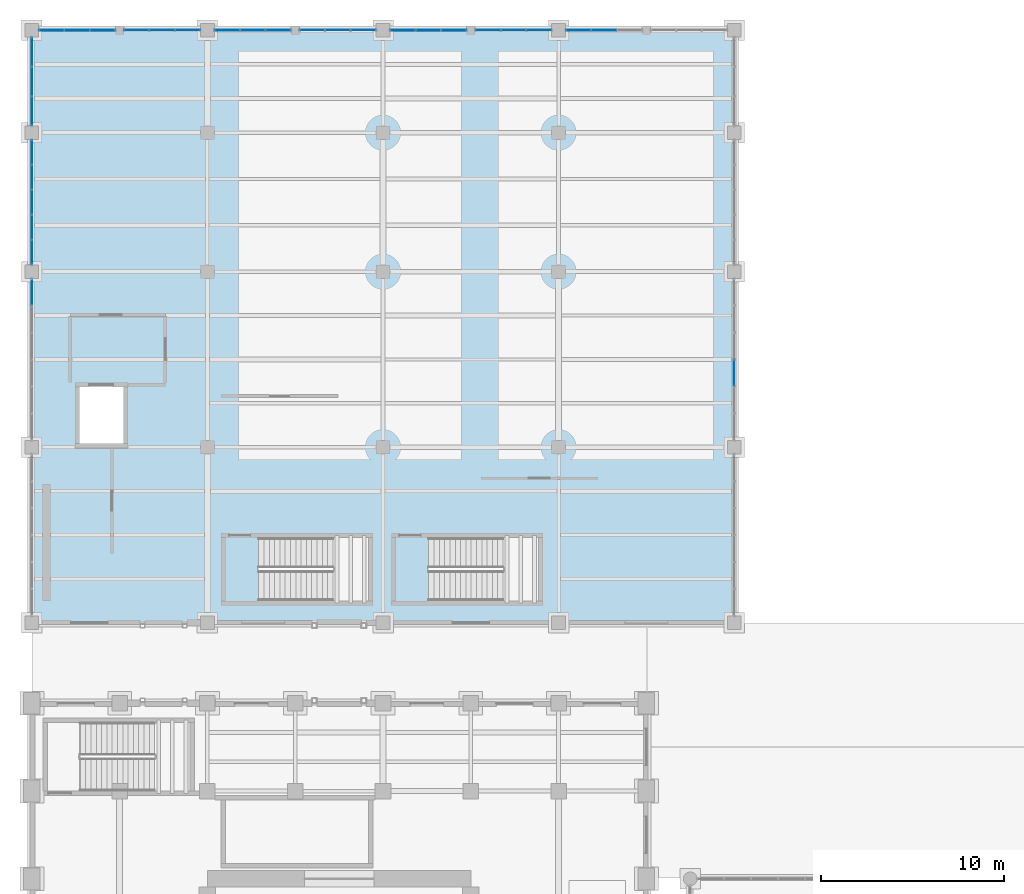
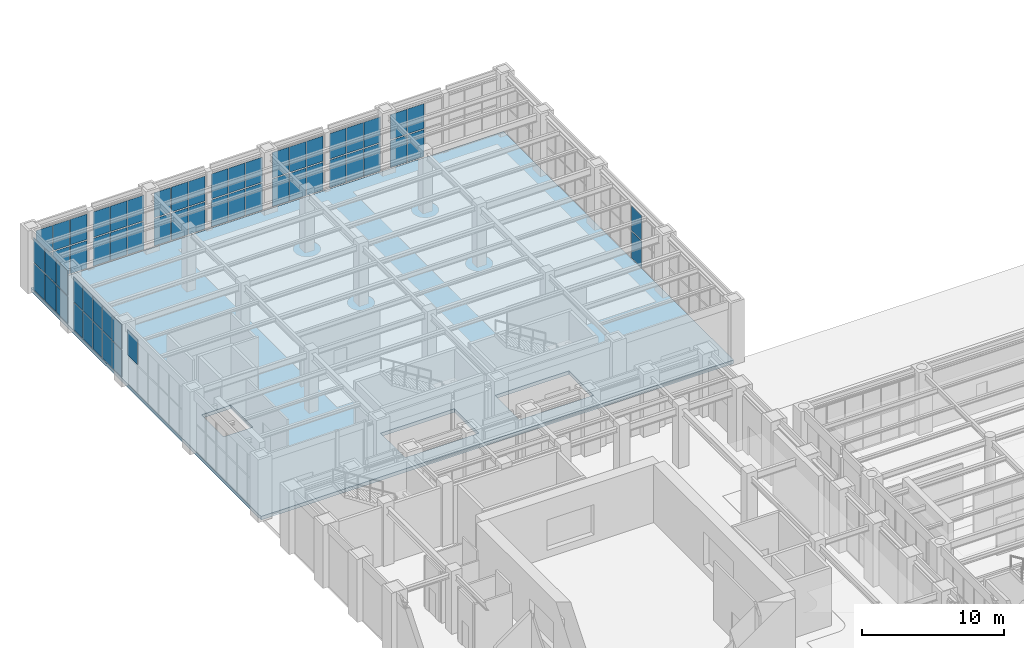
# One storey, part 120 of 164: 59 plates, 1 slab, 11 elements without a shape of their own.
"""IFC4 building model written with IfcOpenShell, lengths in metres."""

from ifc_helpers import new_model, si_unit, direction, frame, origin, origin_2d, place, context, subcontext, project, spatial, polyline, rectangle, outline, extrude, material, layer, layer_set, type_object, element, aggregate, save


model = new_model("IFC4")

# Units and contexts
model_context = context("Model", 3, precision=1e-05, world=origin(), true_north=direction((0.0, 1.0)))
body_context = subcontext(model_context, "Body", "Model", "MODEL_VIEW")
ifc_project = project(units=[si_unit("LENGTHUNIT", "METRE"), si_unit("AREAUNIT", "SQUARE_METRE"), si_unit("VOLUMEUNIT", "CUBIC_METRE"), si_unit("PLANEANGLEUNIT", "RADIAN"), si_unit("MASSUNIT", "GRAM", prefix="KILO")], contexts=[model_context])

# Site, building, storey
site_placement = place(None, origin())
site = spatial("IfcSite", under=ifc_project, at=site_placement, CompositionType="ELEMENT")
building_placement = place(site_placement, origin())
building = spatial("IfcBuilding", under=site, at=building_placement, Name="Mavantir Sound Aquarium", CompositionType="ELEMENT")
storey_placement = place(building_placement, origin())
storey = spatial("IfcBuildingStorey", under=building, at=storey_placement, Name="L00", CompositionType="ELEMENT", Elevation=0.0)

# Curtain wall, plates
ifc_material_1 = material(Name="Anodised Marine Aluminium and Low-E Glass", Category="aluminium")
curtain_wall_type_1 = type_object("IfcCurtainWallType", Name="CW-T13", PredefinedType="USERDEFINED", material=ifc_material_1)
curtain_wall_1_placement = place(storey_placement, origin())
curtain_wall_1 = element("IfcCurtainWall", 1, at=curtain_wall_1_placement, inside=storey, type_object=curtain_wall_type_1, Name="L00 unitised curtain wall CW-13 37", ObjectType="UNITISED GLAZING", PredefinedType="USERDEFINED")
ifc_material_2 = material(Name="Solar-Control Laminated Low-E Glass", Category="glass")
ifc_layer_1 = layer(ifc_material_2, 0.028076171875, Name="Solar-Control Laminated Low-E Glass")
ifc_layer_set_1 = layer_set([ifc_layer_1], Name="Solar-Control Laminated Low-E Glass")
plate_type_1 = type_object("IfcPlateType", Name="CW-PNL-28", PredefinedType="CURTAIN_PANEL", material=ifc_layer_set_1)
plate_1_placement = place(storey_placement, frame((27.7197265625, 116.0, 0.10302734375), z_axis=(0.0, 0.0, 1.0), x_axis=(-1.0, 0.0, 0.0)))
plate_1 = element("IfcPlate", 2, at=plate_1_placement, type_object=plate_type_1, Name="CW-L00-037 glazed curtain panel 1.1", PredefinedType="CURTAIN_PANEL", context=body_context, shape_type="SweptSolid", body=[
    extrude(rectangle(XDim=1.3466796875, YDim=0.028076171875, at=origin_2d()), origin(), (0.0, 0.0, 1.0), 2.377685546875),
])
plate_2_placement = place(storey_placement, frame((27.7197265625, 116.0, 2.576904296875), z_axis=(0.0, 0.0, 1.0), x_axis=(-1.0, 0.0, 0.0)))
plate_2 = element("IfcPlate", 3, at=plate_2_placement, type_object=plate_type_1, Name="CW-L00-037 glazed curtain panel 1.2", PredefinedType="CURTAIN_PANEL", context=body_context, shape_type="SweptSolid", body=[
    extrude(rectangle(XDim=1.3466796875, YDim=0.028076171875, at=origin_2d()), origin(), (0.0, 0.0, 1.0), 2.18310546875),
])
plate_3_placement = place(storey_placement, frame((26.324951171875, 116.0, 0.10302734375), z_axis=(0.0, 0.0, 1.0), x_axis=(-1.0, 0.0, 0.0)))
plate_3 = element("IfcPlate", 4, at=plate_3_placement, type_object=plate_type_1, Name="CW-L00-037 glazed curtain panel 2.1", PredefinedType="CURTAIN_PANEL", context=body_context, shape_type="SweptSolid", body=[
    extrude(rectangle(XDim=1.3466796875, YDim=0.028076171875, at=origin_2d()), origin(), (0.0, 0.0, 1.0), 2.377685546875),
])
plate_4_placement = place(storey_placement, frame((26.324951171875, 116.0, 2.576904296875), z_axis=(0.0, 0.0, 1.0), x_axis=(-1.0, 0.0, 0.0)))
plate_4 = element("IfcPlate", 5, at=plate_4_placement, type_object=plate_type_1, Name="CW-L00-037 glazed curtain panel 2.2", PredefinedType="CURTAIN_PANEL", context=body_context, shape_type="SweptSolid", body=[
    extrude(rectangle(XDim=1.3466796875, YDim=0.028076171875, at=origin_2d()), origin(), (0.0, 0.0, 1.0), 2.18310546875),
])
plate_5_placement = place(storey_placement, frame((24.930419921875, 116.0, 0.10302734375), z_axis=(0.0, 0.0, 1.0), x_axis=(-1.0, 0.0, 0.0)))
plate_5 = element("IfcPlate", 6, at=plate_5_placement, type_object=plate_type_1, Name="CW-L00-037 glazed curtain panel 3.1", PredefinedType="CURTAIN_PANEL", context=body_context, shape_type="SweptSolid", body=[
    extrude(rectangle(XDim=1.3466796875, YDim=0.028076171875, at=origin_2d()), origin(), (0.0, 0.0, 1.0), 2.377685546875),
])
plate_6_placement = place(storey_placement, frame((24.930419921875, 116.0, 2.576904296875), z_axis=(0.0, 0.0, 1.0), x_axis=(-1.0, 0.0, 0.0)))
plate_6 = element("IfcPlate", 7, at=plate_6_placement, type_object=plate_type_1, Name="CW-L00-037 glazed curtain panel 3.2", PredefinedType="CURTAIN_PANEL", context=body_context, shape_type="SweptSolid", body=[
    extrude(rectangle(XDim=1.3466796875, YDim=0.028076171875, at=origin_2d()), origin(), (0.0, 0.0, 1.0), 2.18310546875),
])
aggregate(curtain_wall_1, [plate_1, plate_2, plate_3, plate_4, plate_5, plate_6])

curtain_wall_type_2 = type_object("IfcCurtainWallType", Name="CW-T15", PredefinedType="USERDEFINED", material=ifc_material_1)
curtain_wall_2_placement = place(storey_placement, origin())
curtain_wall_2 = element("IfcCurtainWall", 8, at=curtain_wall_2_placement, inside=storey, type_object=curtain_wall_type_2, Name="L00 unitised curtain wall CW-15 39", ObjectType="UNITISED GLAZING", PredefinedType="USERDEFINED")
plate_7_placement = place(storey_placement, frame((18.11962890625, 116.0, 0.10302734375), z_axis=(0.0, 0.0, 1.0), x_axis=(-1.0, 0.0, 0.0)))
plate_7 = element("IfcPlate", 9, at=plate_7_placement, type_object=plate_type_1, Name="CW-L00-039 glazed curtain panel 1.1", PredefinedType="CURTAIN_PANEL", context=body_context, shape_type="SweptSolid", body=[
    extrude(rectangle(XDim=1.3466796875, YDim=0.028076171875, at=origin_2d()), origin(), (0.0, 0.0, 1.0), 2.3232421875),
])
plate_8_placement = place(storey_placement, frame((18.11962890625, 116.0, 2.522216796875), z_axis=(0.0, 0.0, 1.0), x_axis=(-1.0, 0.0, 0.0)))
plate_8 = element("IfcPlate", 10, at=plate_8_placement, type_object=plate_type_1, Name="CW-L00-039 glazed curtain panel 1.2", PredefinedType="CURTAIN_PANEL", context=body_context, shape_type="SweptSolid", body=[
    extrude(rectangle(XDim=1.3466796875, YDim=0.028076171875, at=origin_2d()), origin(), (0.0, 0.0, 1.0), 2.1328125),
])
plate_9_placement = place(storey_placement, frame((16.72509765625, 116.0, 0.10302734375), z_axis=(0.0, 0.0, 1.0), x_axis=(-1.0, 0.0, 0.0)))
plate_9 = element("IfcPlate", 11, at=plate_9_placement, type_object=plate_type_1, Name="CW-L00-039 glazed curtain panel 2.1", PredefinedType="CURTAIN_PANEL", context=body_context, shape_type="SweptSolid", body=[
    extrude(rectangle(XDim=1.3466796875, YDim=0.028076171875, at=origin_2d()), origin(), (0.0, 0.0, 1.0), 2.3232421875),
])
plate_10_placement = place(storey_placement, frame((16.72509765625, 116.0, 2.522216796875), z_axis=(0.0, 0.0, 1.0), x_axis=(-1.0, 0.0, 0.0)))
plate_10 = element("IfcPlate", 12, at=plate_10_placement, type_object=plate_type_1, Name="CW-L00-039 glazed curtain panel 2.2", PredefinedType="CURTAIN_PANEL", context=body_context, shape_type="SweptSolid", body=[
    extrude(rectangle(XDim=1.3466796875, YDim=0.028076171875, at=origin_2d()), origin(), (0.0, 0.0, 1.0), 2.1328125),
])
plate_11_placement = place(storey_placement, frame((15.330322265625, 116.0, 0.10302734375), z_axis=(0.0, 0.0, 1.0), x_axis=(-1.0, 0.0, 0.0)))
plate_11 = element("IfcPlate", 13, at=plate_11_placement, type_object=plate_type_1, Name="CW-L00-039 glazed curtain panel 3.1", PredefinedType="CURTAIN_PANEL", context=body_context, shape_type="SweptSolid", body=[
    extrude(rectangle(XDim=1.3466796875, YDim=0.028076171875, at=origin_2d()), origin(), (0.0, 0.0, 1.0), 2.3232421875),
])
plate_12_placement = place(storey_placement, frame((15.330322265625, 116.0, 2.522216796875), z_axis=(0.0, 0.0, 1.0), x_axis=(-1.0, 0.0, 0.0)))
plate_12 = element("IfcPlate", 14, at=plate_12_placement, type_object=plate_type_1, Name="CW-L00-039 glazed curtain panel 3.2", PredefinedType="CURTAIN_PANEL", context=body_context, shape_type="SweptSolid", body=[
    extrude(rectangle(XDim=1.3466796875, YDim=0.028076171875, at=origin_2d()), origin(), (0.0, 0.0, 1.0), 2.1328125),
])
aggregate(curtain_wall_2, [plate_7, plate_8, plate_9, plate_10, plate_11, plate_12])

curtain_wall_type_3 = type_object("IfcCurtainWallType", Name="CW-T17", PredefinedType="USERDEFINED", material=ifc_material_1)
curtain_wall_3_placement = place(storey_placement, origin())
curtain_wall_3 = element("IfcCurtainWall", 15, at=curtain_wall_3_placement, inside=storey, type_object=curtain_wall_type_3, Name="L00 unitised curtain wall CW-17 41", ObjectType="UNITISED GLAZING", PredefinedType="USERDEFINED")
plate_13_placement = place(storey_placement, frame((8.519775390625, 116.0, 0.10302734375), z_axis=(0.0, 0.0, 1.0), x_axis=(-1.0, 0.0, 0.0)))
plate_13 = element("IfcPlate", 16, at=plate_13_placement, type_object=plate_type_1, Name="CW-L00-041 glazed curtain panel 1.1", PredefinedType="CURTAIN_PANEL", context=body_context, shape_type="SweptSolid", body=[
    extrude(rectangle(XDim=1.3466796875, YDim=0.028076171875, at=origin_2d()), origin(), (0.0, 0.0, 1.0), 2.377685546875),
])
plate_14_placement = place(storey_placement, frame((8.519775390625, 116.0, 2.576904296875), z_axis=(0.0, 0.0, 1.0), x_axis=(-1.0, 0.0, 0.0)))
plate_14 = element("IfcPlate", 17, at=plate_14_placement, type_object=plate_type_1, Name="CW-L00-041 glazed curtain panel 1.2", PredefinedType="CURTAIN_PANEL", context=body_context, shape_type="SweptSolid", body=[
    extrude(rectangle(XDim=1.3466796875, YDim=0.028076171875, at=origin_2d()), origin(), (0.0, 0.0, 1.0), 2.18310546875),
])
plate_15_placement = place(storey_placement, frame((7.125, 116.0, 0.10302734375), z_axis=(0.0, 0.0, 1.0), x_axis=(-1.0, 0.0, 0.0)))
plate_15 = element("IfcPlate", 18, at=plate_15_placement, type_object=plate_type_1, Name="CW-L00-041 glazed curtain panel 2.1", PredefinedType="CURTAIN_PANEL", context=body_context, shape_type="SweptSolid", body=[
    extrude(rectangle(XDim=1.3466796875, YDim=0.028076171875, at=origin_2d()), origin(), (0.0, 0.0, 1.0), 2.377685546875),
])
plate_16_placement = place(storey_placement, frame((7.125, 116.0, 2.576904296875), z_axis=(0.0, 0.0, 1.0), x_axis=(-1.0, 0.0, 0.0)))
plate_16 = element("IfcPlate", 19, at=plate_16_placement, type_object=plate_type_1, Name="CW-L00-041 glazed curtain panel 2.2", PredefinedType="CURTAIN_PANEL", context=body_context, shape_type="SweptSolid", body=[
    extrude(rectangle(XDim=1.3466796875, YDim=0.028076171875, at=origin_2d()), origin(), (0.0, 0.0, 1.0), 2.18310546875),
])
plate_17_placement = place(storey_placement, frame((5.730224609375, 116.0, 0.10302734375), z_axis=(0.0, 0.0, 1.0), x_axis=(-1.0, 0.0, 0.0)))
plate_17 = element("IfcPlate", 20, at=plate_17_placement, type_object=plate_type_1, Name="CW-L00-041 glazed curtain panel 3.1", PredefinedType="CURTAIN_PANEL", context=body_context, shape_type="SweptSolid", body=[
    extrude(rectangle(XDim=1.3466796875, YDim=0.028076171875, at=origin_2d()), origin(), (0.0, 0.0, 1.0), 2.377685546875),
])
plate_18_placement = place(storey_placement, frame((5.730224609375, 116.0, 2.576904296875), z_axis=(0.0, 0.0, 1.0), x_axis=(-1.0, 0.0, 0.0)))
plate_18 = element("IfcPlate", 21, at=plate_18_placement, type_object=plate_type_1, Name="CW-L00-041 glazed curtain panel 3.2", PredefinedType="CURTAIN_PANEL", context=body_context, shape_type="SweptSolid", body=[
    extrude(rectangle(XDim=1.3466796875, YDim=0.028076171875, at=origin_2d()), origin(), (0.0, 0.0, 1.0), 2.18310546875),
])
aggregate(curtain_wall_3, [plate_13, plate_14, plate_15, plate_16, plate_17, plate_18])

curtain_wall_type_4 = type_object("IfcCurtainWallType", Name="CW-T19", PredefinedType="USERDEFINED", material=ifc_material_1)
curtain_wall_4_placement = place(storey_placement, origin())
curtain_wall_4 = element("IfcCurtainWall", 22, at=curtain_wall_4_placement, inside=storey, type_object=curtain_wall_type_4, Name="L00 unitised curtain wall CW-19 43", ObjectType="UNITISED GLAZING", PredefinedType="USERDEFINED")
plate_19_placement = place(storey_placement, frame((0.0, 114.811279296875, 0.10302734375), z_axis=(0.0, 0.0, 1.0), x_axis=(0.0, -1.0, 0.0)))
plate_19 = element("IfcPlate", 23, at=plate_19_placement, type_object=plate_type_1, Name="CW-L00-043 glazed curtain panel 1.1", PredefinedType="CURTAIN_PANEL", context=body_context, shape_type="SweptSolid", body=[
    extrude(rectangle(XDim=1.563232421875, YDim=0.028076171875, at=origin_2d()), origin(), (0.0, 0.0, 1.0), 2.2998046875),
])
plate_20_placement = place(storey_placement, frame((0.0, 114.811279296875, 2.4990234375), z_axis=(0.0, 0.0, 1.0), x_axis=(0.0, -1.0, 0.0)))
plate_20 = element("IfcPlate", 24, at=plate_20_placement, type_object=plate_type_1, Name="CW-L00-043 glazed curtain panel 1.2", PredefinedType="CURTAIN_PANEL", context=body_context, shape_type="SweptSolid", body=[
    extrude(rectangle(XDim=1.563232421875, YDim=0.028076171875, at=origin_2d()), origin(), (0.0, 0.0, 1.0), 2.111083984375),
])
plate_21_placement = place(storey_placement, frame((0.0, 113.199951171875, 0.10302734375), z_axis=(0.0, 0.0, 1.0), x_axis=(0.0, -1.0, 0.0)))
plate_21 = element("IfcPlate", 25, at=plate_21_placement, type_object=plate_type_1, Name="CW-L00-043 glazed curtain panel 2.1", PredefinedType="CURTAIN_PANEL", context=body_context, shape_type="SweptSolid", body=[
    extrude(rectangle(XDim=1.563232421875, YDim=0.028076171875, at=origin_2d()), origin(), (0.0, 0.0, 1.0), 2.2998046875),
])
plate_22_placement = place(storey_placement, frame((0.0, 113.199951171875, 2.4990234375), z_axis=(0.0, 0.0, 1.0), x_axis=(0.0, -1.0, 0.0)))
plate_22 = element("IfcPlate", 26, at=plate_22_placement, type_object=plate_type_1, Name="CW-L00-043 glazed curtain panel 2.2", PredefinedType="CURTAIN_PANEL", context=body_context, shape_type="SweptSolid", body=[
    extrude(rectangle(XDim=1.563232421875, YDim=0.028076171875, at=origin_2d()), origin(), (0.0, 0.0, 1.0), 2.111083984375),
])
plate_23_placement = place(storey_placement, frame((0.0, 111.588623046875, 0.10302734375), z_axis=(0.0, 0.0, 1.0), x_axis=(0.0, -1.0, 0.0)))
plate_23 = element("IfcPlate", 27, at=plate_23_placement, type_object=plate_type_1, Name="CW-L00-043 glazed curtain panel 3.1", PredefinedType="CURTAIN_PANEL", context=body_context, shape_type="SweptSolid", body=[
    extrude(rectangle(XDim=1.563232421875, YDim=0.028076171875, at=origin_2d()), origin(), (0.0, 0.0, 1.0), 2.2998046875),
])
plate_24_placement = place(storey_placement, frame((0.0, 111.588623046875, 2.4990234375), z_axis=(0.0, 0.0, 1.0), x_axis=(0.0, -1.0, 0.0)))
plate_24 = element("IfcPlate", 28, at=plate_24_placement, type_object=plate_type_1, Name="CW-L00-043 glazed curtain panel 3.2", PredefinedType="CURTAIN_PANEL", context=body_context, shape_type="SweptSolid", body=[
    extrude(rectangle(XDim=1.563232421875, YDim=0.028076171875, at=origin_2d()), origin(), (0.0, 0.0, 1.0), 2.111083984375),
])
aggregate(curtain_wall_4, [plate_19, plate_20, plate_21, plate_22, plate_23, plate_24])

# Curtain wall, plate
curtain_wall_type_5 = type_object("IfcCurtainWallType", Name="CW-T21", PredefinedType="USERDEFINED", material=ifc_material_1)
curtain_wall_5_placement = place(storey_placement, origin())
curtain_wall_5 = element("IfcCurtainWall", 29, at=curtain_wall_5_placement, inside=storey, type_object=curtain_wall_type_5, Name="L00 unitised curtain wall CW-21 45", ObjectType="UNITISED GLAZING", PredefinedType="USERDEFINED")
plate_25_placement = place(storey_placement, frame((0.0, 101.680908203125, 2.52099609375), z_axis=(0.0, 0.0, 1.0), x_axis=(0.0, -1.0, 0.0)))
plate_25 = element("IfcPlate", 30, at=plate_25_placement, type_object=plate_type_1, Name="CW-L00-045 glazed curtain panel 1.2", PredefinedType="CURTAIN_PANEL", context=body_context, shape_type="SweptSolid", body=[
    extrude(rectangle(XDim=1.42431640625, YDim=0.028076171875, at=origin_2d()), origin(), (0.0, 0.0, 1.0), 2.1318359375),
])
aggregate(curtain_wall_5, [plate_25])

# Curtain wall, plates
curtain_wall_type_6 = type_object("IfcCurtainWallType", Name="CW-T08", PredefinedType="USERDEFINED", material=ifc_material_1)
curtain_wall_6_placement = place(storey_placement, origin())
curtain_wall_6 = element("IfcCurtainWall", 31, at=curtain_wall_6_placement, inside=storey, type_object=curtain_wall_type_6, Name="L00 unitised curtain wall CW-08 32", ObjectType="UNITISED GLAZING", PredefinedType="USERDEFINED")
ifc_layer_2 = layer(ifc_material_2, 0.031982421875, Name="Solar-Control Laminated Low-E Glass")
ifc_layer_set_2 = layer_set([ifc_layer_2], Name="Solar-Control Laminated Low-E Glass")
plate_type_2 = type_object("IfcPlateType", Name="CW-PNL-32", PredefinedType="CURTAIN_PANEL", material=ifc_layer_set_2)
plate_26_placement = place(storey_placement, frame((38.39990234375, 97.263916015625, 0.10302734375), z_axis=(0.0, 0.0, 1.0), x_axis=(0.0, 1.0, 0.0)))
plate_26 = element("IfcPlate", 32, at=plate_26_placement, type_object=plate_type_2, Name="CW-L00-032 glazed curtain panel 3.1", PredefinedType="CURTAIN_PANEL", context=body_context, shape_type="SweptSolid", body=[
    extrude(rectangle(XDim=1.42431640625, YDim=0.031982421875, at=origin_2d()), origin(), (0.0, 0.0, 1.0), 2.2666015625),
])
plate_27_placement = place(storey_placement, frame((38.39990234375, 97.263916015625, 2.46533203125), z_axis=(0.0, 0.0, 1.0), x_axis=(0.0, 1.0, 0.0)))
plate_27 = element("IfcPlate", 33, at=plate_27_placement, type_object=plate_type_2, Name="CW-L00-032 glazed curtain panel 3.2", PredefinedType="CURTAIN_PANEL", context=body_context, shape_type="SweptSolid", body=[
    extrude(rectangle(XDim=1.42431640625, YDim=0.031982421875, at=origin_2d()), origin(), (0.0, 0.0, 1.0), 2.08056640625),
])
aggregate(curtain_wall_6, [plate_26, plate_27])

curtain_wall_type_7 = type_object("IfcCurtainWallType", Name="CW-T12", PredefinedType="USERDEFINED", material=ifc_material_1)
curtain_wall_7_placement = place(storey_placement, origin())
curtain_wall_7 = element("IfcCurtainWall", 34, at=curtain_wall_7_placement, inside=storey, type_object=curtain_wall_type_7, Name="L00 unitised curtain wall CW-12 36", ObjectType="UNITISED GLAZING", PredefinedType="USERDEFINED")
plate_28_placement = place(storey_placement, frame((31.27490234375, 116.0, 0.10302734375), z_axis=(0.0, 0.0, 1.0), x_axis=(-1.0, 0.0, 0.0)))
plate_28 = element("IfcPlate", 35, at=plate_28_placement, type_object=plate_type_2, Name="CW-L00-036 glazed curtain panel 2.1", PredefinedType="CURTAIN_PANEL", context=body_context, shape_type="SweptSolid", body=[
    extrude(rectangle(XDim=1.3466796875, YDim=0.031982421875, at=origin_2d()), origin(), (0.0, 0.0, 1.0), 2.3232421875),
])
plate_29_placement = place(storey_placement, frame((31.27490234375, 116.0, 2.522216796875), z_axis=(0.0, 0.0, 1.0), x_axis=(-1.0, 0.0, 0.0)))
plate_29 = element("IfcPlate", 36, at=plate_29_placement, type_object=plate_type_2, Name="CW-L00-036 glazed curtain panel 2.2", PredefinedType="CURTAIN_PANEL", context=body_context, shape_type="SweptSolid", body=[
    extrude(rectangle(XDim=1.3466796875, YDim=0.031982421875, at=origin_2d()), origin(), (0.0, 0.0, 1.0), 2.1328125),
])
plate_30_placement = place(storey_placement, frame((29.88037109375, 116.0, 0.10302734375), z_axis=(0.0, 0.0, 1.0), x_axis=(-1.0, 0.0, 0.0)))
plate_30 = element("IfcPlate", 37, at=plate_30_placement, type_object=plate_type_2, Name="CW-L00-036 glazed curtain panel 3.1", PredefinedType="CURTAIN_PANEL", context=body_context, shape_type="SweptSolid", body=[
    extrude(rectangle(XDim=1.3466796875, YDim=0.031982421875, at=origin_2d()), origin(), (0.0, 0.0, 1.0), 2.3232421875),
])
plate_31_placement = place(storey_placement, frame((29.88037109375, 116.0, 2.522216796875), z_axis=(0.0, 0.0, 1.0), x_axis=(-1.0, 0.0, 0.0)))
plate_31 = element("IfcPlate", 38, at=plate_31_placement, type_object=plate_type_2, Name="CW-L00-036 glazed curtain panel 3.2", PredefinedType="CURTAIN_PANEL", context=body_context, shape_type="SweptSolid", body=[
    extrude(rectangle(XDim=1.3466796875, YDim=0.031982421875, at=origin_2d()), origin(), (0.0, 0.0, 1.0), 2.1328125),
])
aggregate(curtain_wall_7, [plate_28, plate_29, plate_30, plate_31])

curtain_wall_type_8 = type_object("IfcCurtainWallType", Name="CW-T14", PredefinedType="USERDEFINED", material=ifc_material_1)
curtain_wall_8_placement = place(storey_placement, origin())
curtain_wall_8 = element("IfcCurtainWall", 39, at=curtain_wall_8_placement, inside=storey, type_object=curtain_wall_type_8, Name="L00 unitised curtain wall CW-14 38", ObjectType="UNITISED GLAZING", PredefinedType="USERDEFINED")
plate_32_placement = place(storey_placement, frame((23.069580078125, 116.0, 0.10302734375), z_axis=(0.0, 0.0, 1.0), x_axis=(-1.0, 0.0, 0.0)))
plate_32 = element("IfcPlate", 40, at=plate_32_placement, type_object=plate_type_2, Name="CW-L00-038 glazed curtain panel 1.1", PredefinedType="CURTAIN_PANEL", context=body_context, shape_type="SweptSolid", body=[
    extrude(rectangle(XDim=1.3466796875, YDim=0.031982421875, at=origin_2d()), origin(), (0.0, 0.0, 1.0), 2.377685546875),
])
plate_33_placement = place(storey_placement, frame((23.069580078125, 116.0, 2.576904296875), z_axis=(0.0, 0.0, 1.0), x_axis=(-1.0, 0.0, 0.0)))
plate_33 = element("IfcPlate", 41, at=plate_33_placement, type_object=plate_type_2, Name="CW-L00-038 glazed curtain panel 1.2", PredefinedType="CURTAIN_PANEL", context=body_context, shape_type="SweptSolid", body=[
    extrude(rectangle(XDim=1.3466796875, YDim=0.031982421875, at=origin_2d()), origin(), (0.0, 0.0, 1.0), 2.18310546875),
])
plate_34_placement = place(storey_placement, frame((21.675048828125, 116.0, 0.10302734375), z_axis=(0.0, 0.0, 1.0), x_axis=(-1.0, 0.0, 0.0)))
plate_34 = element("IfcPlate", 42, at=plate_34_placement, type_object=plate_type_2, Name="CW-L00-038 glazed curtain panel 2.1", PredefinedType="CURTAIN_PANEL", context=body_context, shape_type="SweptSolid", body=[
    extrude(rectangle(XDim=1.3466796875, YDim=0.031982421875, at=origin_2d()), origin(), (0.0, 0.0, 1.0), 2.377685546875),
])
plate_35_placement = place(storey_placement, frame((21.675048828125, 116.0, 2.576904296875), z_axis=(0.0, 0.0, 1.0), x_axis=(-1.0, 0.0, 0.0)))
plate_35 = element("IfcPlate", 43, at=plate_35_placement, type_object=plate_type_2, Name="CW-L00-038 glazed curtain panel 2.2", PredefinedType="CURTAIN_PANEL", context=body_context, shape_type="SweptSolid", body=[
    extrude(rectangle(XDim=1.3466796875, YDim=0.031982421875, at=origin_2d()), origin(), (0.0, 0.0, 1.0), 2.18310546875),
])
plate_36_placement = place(storey_placement, frame((20.2802734375, 116.0, 0.10302734375), z_axis=(0.0, 0.0, 1.0), x_axis=(-1.0, 0.0, 0.0)))
plate_36 = element("IfcPlate", 44, at=plate_36_placement, type_object=plate_type_2, Name="CW-L00-038 glazed curtain panel 3.1", PredefinedType="CURTAIN_PANEL", context=body_context, shape_type="SweptSolid", body=[
    extrude(rectangle(XDim=1.3466796875, YDim=0.031982421875, at=origin_2d()), origin(), (0.0, 0.0, 1.0), 2.377685546875),
])
plate_37_placement = place(storey_placement, frame((20.2802734375, 116.0, 2.576904296875), z_axis=(0.0, 0.0, 1.0), x_axis=(-1.0, 0.0, 0.0)))
plate_37 = element("IfcPlate", 45, at=plate_37_placement, type_object=plate_type_2, Name="CW-L00-038 glazed curtain panel 3.2", PredefinedType="CURTAIN_PANEL", context=body_context, shape_type="SweptSolid", body=[
    extrude(rectangle(XDim=1.3466796875, YDim=0.031982421875, at=origin_2d()), origin(), (0.0, 0.0, 1.0), 2.18310546875),
])
aggregate(curtain_wall_8, [plate_32, plate_33, plate_34, plate_35, plate_36, plate_37])

curtain_wall_type_9 = type_object("IfcCurtainWallType", Name="CW-T16", PredefinedType="USERDEFINED", material=ifc_material_1)
curtain_wall_9_placement = place(storey_placement, origin())
curtain_wall_9 = element("IfcCurtainWall", 46, at=curtain_wall_9_placement, inside=storey, type_object=curtain_wall_type_9, Name="L00 unitised curtain wall CW-16 40", ObjectType="UNITISED GLAZING", PredefinedType="USERDEFINED")
plate_38_placement = place(storey_placement, frame((13.4697265625, 116.0, 0.10302734375), z_axis=(0.0, 0.0, 1.0), x_axis=(-1.0, 0.0, 0.0)))
plate_38 = element("IfcPlate", 47, at=plate_38_placement, type_object=plate_type_2, Name="CW-L00-040 glazed curtain panel 1.1", PredefinedType="CURTAIN_PANEL", context=body_context, shape_type="SweptSolid", body=[
    extrude(rectangle(XDim=1.3466796875, YDim=0.031982421875, at=origin_2d()), origin(), (0.0, 0.0, 1.0), 2.3232421875),
])
plate_39_placement = place(storey_placement, frame((13.4697265625, 116.0, 2.522216796875), z_axis=(0.0, 0.0, 1.0), x_axis=(-1.0, 0.0, 0.0)))
plate_39 = element("IfcPlate", 48, at=plate_39_placement, type_object=plate_type_2, Name="CW-L00-040 glazed curtain panel 1.2", PredefinedType="CURTAIN_PANEL", context=body_context, shape_type="SweptSolid", body=[
    extrude(rectangle(XDim=1.3466796875, YDim=0.031982421875, at=origin_2d()), origin(), (0.0, 0.0, 1.0), 2.1328125),
])
plate_40_placement = place(storey_placement, frame((12.074951171875, 116.0, 0.10302734375), z_axis=(0.0, 0.0, 1.0), x_axis=(-1.0, 0.0, 0.0)))
plate_40 = element("IfcPlate", 49, at=plate_40_placement, type_object=plate_type_2, Name="CW-L00-040 glazed curtain panel 2.1", PredefinedType="CURTAIN_PANEL", context=body_context, shape_type="SweptSolid", body=[
    extrude(rectangle(XDim=1.3466796875, YDim=0.031982421875, at=origin_2d()), origin(), (0.0, 0.0, 1.0), 2.3232421875),
])
plate_41_placement = place(storey_placement, frame((12.074951171875, 116.0, 2.522216796875), z_axis=(0.0, 0.0, 1.0), x_axis=(-1.0, 0.0, 0.0)))
plate_41 = element("IfcPlate", 50, at=plate_41_placement, type_object=plate_type_2, Name="CW-L00-040 glazed curtain panel 2.2", PredefinedType="CURTAIN_PANEL", context=body_context, shape_type="SweptSolid", body=[
    extrude(rectangle(XDim=1.3466796875, YDim=0.031982421875, at=origin_2d()), origin(), (0.0, 0.0, 1.0), 2.1328125),
])
plate_42_placement = place(storey_placement, frame((10.680419921875, 116.0, 0.10302734375), z_axis=(0.0, 0.0, 1.0), x_axis=(-1.0, 0.0, 0.0)))
plate_42 = element("IfcPlate", 51, at=plate_42_placement, type_object=plate_type_2, Name="CW-L00-040 glazed curtain panel 3.1", PredefinedType="CURTAIN_PANEL", context=body_context, shape_type="SweptSolid", body=[
    extrude(rectangle(XDim=1.3466796875, YDim=0.031982421875, at=origin_2d()), origin(), (0.0, 0.0, 1.0), 2.3232421875),
])
plate_43_placement = place(storey_placement, frame((10.680419921875, 116.0, 2.522216796875), z_axis=(0.0, 0.0, 1.0), x_axis=(-1.0, 0.0, 0.0)))
plate_43 = element("IfcPlate", 52, at=plate_43_placement, type_object=plate_type_2, Name="CW-L00-040 glazed curtain panel 3.2", PredefinedType="CURTAIN_PANEL", context=body_context, shape_type="SweptSolid", body=[
    extrude(rectangle(XDim=1.3466796875, YDim=0.031982421875, at=origin_2d()), origin(), (0.0, 0.0, 1.0), 2.1328125),
])
aggregate(curtain_wall_9, [plate_38, plate_39, plate_40, plate_41, plate_42, plate_43])

curtain_wall_type_10 = type_object("IfcCurtainWallType", Name="CW-T18", PredefinedType="USERDEFINED", material=ifc_material_1)
curtain_wall_10_placement = place(storey_placement, origin())
curtain_wall_10 = element("IfcCurtainWall", 53, at=curtain_wall_10_placement, inside=storey, type_object=curtain_wall_type_10, Name="L00 unitised curtain wall CW-18 42", ObjectType="UNITISED GLAZING", PredefinedType="USERDEFINED")
plate_44_placement = place(storey_placement, frame((3.86962890625, 116.0, 0.10302734375), z_axis=(0.0, 0.0, 1.0), x_axis=(-1.0, 0.0, 0.0)))
plate_44 = element("IfcPlate", 54, at=plate_44_placement, type_object=plate_type_2, Name="CW-L00-042 glazed curtain panel 1.1", PredefinedType="CURTAIN_PANEL", context=body_context, shape_type="SweptSolid", body=[
    extrude(rectangle(XDim=1.3466796875, YDim=0.031982421875, at=origin_2d()), origin(), (0.0, 0.0, 1.0), 2.377685546875),
])
plate_45_placement = place(storey_placement, frame((3.86962890625, 116.0, 2.576904296875), z_axis=(0.0, 0.0, 1.0), x_axis=(-1.0, 0.0, 0.0)))
plate_45 = element("IfcPlate", 55, at=plate_45_placement, type_object=plate_type_2, Name="CW-L00-042 glazed curtain panel 1.2", PredefinedType="CURTAIN_PANEL", context=body_context, shape_type="SweptSolid", body=[
    extrude(rectangle(XDim=1.3466796875, YDim=0.031982421875, at=origin_2d()), origin(), (0.0, 0.0, 1.0), 2.18310546875),
])
plate_46_placement = place(storey_placement, frame((2.47509765625, 116.0, 0.10302734375), z_axis=(0.0, 0.0, 1.0), x_axis=(-1.0, 0.0, 0.0)))
plate_46 = element("IfcPlate", 56, at=plate_46_placement, type_object=plate_type_2, Name="CW-L00-042 glazed curtain panel 2.1", PredefinedType="CURTAIN_PANEL", context=body_context, shape_type="SweptSolid", body=[
    extrude(rectangle(XDim=1.3466796875, YDim=0.031982421875, at=origin_2d()), origin(), (0.0, 0.0, 1.0), 2.377685546875),
])
plate_47_placement = place(storey_placement, frame((2.47509765625, 116.0, 2.576904296875), z_axis=(0.0, 0.0, 1.0), x_axis=(-1.0, 0.0, 0.0)))
plate_47 = element("IfcPlate", 57, at=plate_47_placement, type_object=plate_type_2, Name="CW-L00-042 glazed curtain panel 2.2", PredefinedType="CURTAIN_PANEL", context=body_context, shape_type="SweptSolid", body=[
    extrude(rectangle(XDim=1.3466796875, YDim=0.031982421875, at=origin_2d()), origin(), (0.0, 0.0, 1.0), 2.18310546875),
])
plate_48_placement = place(storey_placement, frame((1.080322265625, 116.0, 0.10302734375), z_axis=(0.0, 0.0, 1.0), x_axis=(-1.0, 0.0, 0.0)))
plate_48 = element("IfcPlate", 58, at=plate_48_placement, type_object=plate_type_2, Name="CW-L00-042 glazed curtain panel 3.1", PredefinedType="CURTAIN_PANEL", context=body_context, shape_type="SweptSolid", body=[
    extrude(rectangle(XDim=1.3466796875, YDim=0.031982421875, at=origin_2d()), origin(), (0.0, 0.0, 1.0), 2.377685546875),
])
plate_49_placement = place(storey_placement, frame((1.080322265625, 116.0, 2.576904296875), z_axis=(0.0, 0.0, 1.0), x_axis=(-1.0, 0.0, 0.0)))
plate_49 = element("IfcPlate", 59, at=plate_49_placement, type_object=plate_type_2, Name="CW-L00-042 glazed curtain panel 3.2", PredefinedType="CURTAIN_PANEL", context=body_context, shape_type="SweptSolid", body=[
    extrude(rectangle(XDim=1.3466796875, YDim=0.031982421875, at=origin_2d()), origin(), (0.0, 0.0, 1.0), 2.18310546875),
])
aggregate(curtain_wall_10, [plate_44, plate_45, plate_46, plate_47, plate_48, plate_49])

curtain_wall_type_11 = type_object("IfcCurtainWallType", Name="CW-T20", PredefinedType="USERDEFINED", material=ifc_material_1)
curtain_wall_11_placement = place(storey_placement, origin())
curtain_wall_11 = element("IfcCurtainWall", 60, at=curtain_wall_11_placement, inside=storey, type_object=curtain_wall_type_11, Name="L00 unitised curtain wall CW-20 44", ObjectType="UNITISED GLAZING", PredefinedType="USERDEFINED")
plate_50_placement = place(storey_placement, frame((0.0, 109.33349609375, 0.10302734375), z_axis=(0.0, 0.0, 1.0), x_axis=(0.0, -1.0, 0.0)))
plate_50 = element("IfcPlate", 61, at=plate_50_placement, type_object=plate_type_2, Name="CW-L00-044 glazed curtain panel 1.1", PredefinedType="CURTAIN_PANEL", context=body_context, shape_type="SweptSolid", body=[
    extrude(rectangle(XDim=1.31884765625, YDim=0.031982421875, at=origin_2d()), origin(), (0.0, 0.0, 1.0), 2.2998046875),
])
plate_51_placement = place(storey_placement, frame((0.0, 109.33349609375, 2.4990234375), z_axis=(0.0, 0.0, 1.0), x_axis=(0.0, -1.0, 0.0)))
plate_51 = element("IfcPlate", 62, at=plate_51_placement, type_object=plate_type_2, Name="CW-L00-044 glazed curtain panel 1.2", PredefinedType="CURTAIN_PANEL", context=body_context, shape_type="SweptSolid", body=[
    extrude(rectangle(XDim=1.31884765625, YDim=0.031982421875, at=origin_2d()), origin(), (0.0, 0.0, 1.0), 2.111083984375),
])
plate_52_placement = place(storey_placement, frame((0.0, 107.966796875, 0.10302734375), z_axis=(0.0, 0.0, 1.0), x_axis=(0.0, -1.0, 0.0)))
plate_52 = element("IfcPlate", 63, at=plate_52_placement, type_object=plate_type_2, Name="CW-L00-044 glazed curtain panel 2.1", PredefinedType="CURTAIN_PANEL", context=body_context, shape_type="SweptSolid", body=[
    extrude(rectangle(XDim=1.31884765625, YDim=0.031982421875, at=origin_2d()), origin(), (0.0, 0.0, 1.0), 2.2998046875),
])
plate_53_placement = place(storey_placement, frame((0.0, 107.966796875, 2.4990234375), z_axis=(0.0, 0.0, 1.0), x_axis=(0.0, -1.0, 0.0)))
plate_53 = element("IfcPlate", 64, at=plate_53_placement, type_object=plate_type_2, Name="CW-L00-044 glazed curtain panel 2.2", PredefinedType="CURTAIN_PANEL", context=body_context, shape_type="SweptSolid", body=[
    extrude(rectangle(XDim=1.31884765625, YDim=0.031982421875, at=origin_2d()), origin(), (0.0, 0.0, 1.0), 2.111083984375),
])
plate_54_placement = place(storey_placement, frame((0.0, 106.60009765625, 0.10302734375), z_axis=(0.0, 0.0, 1.0), x_axis=(0.0, -1.0, 0.0)))
plate_54 = element("IfcPlate", 65, at=plate_54_placement, type_object=plate_type_2, Name="CW-L00-044 glazed curtain panel 3.1", PredefinedType="CURTAIN_PANEL", context=body_context, shape_type="SweptSolid", body=[
    extrude(rectangle(XDim=1.31884765625, YDim=0.031982421875, at=origin_2d()), origin(), (0.0, 0.0, 1.0), 2.2998046875),
])
plate_55_placement = place(storey_placement, frame((0.0, 106.60009765625, 2.4990234375), z_axis=(0.0, 0.0, 1.0), x_axis=(0.0, -1.0, 0.0)))
plate_55 = element("IfcPlate", 66, at=plate_55_placement, type_object=plate_type_2, Name="CW-L00-044 glazed curtain panel 3.2", PredefinedType="CURTAIN_PANEL", context=body_context, shape_type="SweptSolid", body=[
    extrude(rectangle(XDim=1.31884765625, YDim=0.031982421875, at=origin_2d()), origin(), (0.0, 0.0, 1.0), 2.111083984375),
])
plate_56_placement = place(storey_placement, frame((0.0, 105.233154296875, 0.10302734375), z_axis=(0.0, 0.0, 1.0), x_axis=(0.0, -1.0, 0.0)))
plate_56 = element("IfcPlate", 67, at=plate_56_placement, type_object=plate_type_2, Name="CW-L00-044 glazed curtain panel 4.1", PredefinedType="CURTAIN_PANEL", context=body_context, shape_type="SweptSolid", body=[
    extrude(rectangle(XDim=1.31884765625, YDim=0.031982421875, at=origin_2d()), origin(), (0.0, 0.0, 1.0), 2.2998046875),
])
plate_57_placement = place(storey_placement, frame((0.0, 105.233154296875, 2.4990234375), z_axis=(0.0, 0.0, 1.0), x_axis=(0.0, -1.0, 0.0)))
plate_57 = element("IfcPlate", 68, at=plate_57_placement, type_object=plate_type_2, Name="CW-L00-044 glazed curtain panel 4.2", PredefinedType="CURTAIN_PANEL", context=body_context, shape_type="SweptSolid", body=[
    extrude(rectangle(XDim=1.31884765625, YDim=0.031982421875, at=origin_2d()), origin(), (0.0, 0.0, 1.0), 2.111083984375),
])
plate_58_placement = place(storey_placement, frame((0.0, 103.866455078125, 0.10302734375), z_axis=(0.0, 0.0, 1.0), x_axis=(0.0, -1.0, 0.0)))
plate_58 = element("IfcPlate", 69, at=plate_58_placement, type_object=plate_type_2, Name="CW-L00-044 glazed curtain panel 5.1", PredefinedType="CURTAIN_PANEL", context=body_context, shape_type="SweptSolid", body=[
    extrude(rectangle(XDim=1.31884765625, YDim=0.031982421875, at=origin_2d()), origin(), (0.0, 0.0, 1.0), 2.2998046875),
])
plate_59_placement = place(storey_placement, frame((0.0, 103.866455078125, 2.4990234375), z_axis=(0.0, 0.0, 1.0), x_axis=(0.0, -1.0, 0.0)))
plate_59 = element("IfcPlate", 70, at=plate_59_placement, type_object=plate_type_2, Name="CW-L00-044 glazed curtain panel 5.2", PredefinedType="CURTAIN_PANEL", context=body_context, shape_type="SweptSolid", body=[
    extrude(rectangle(XDim=1.31884765625, YDim=0.031982421875, at=origin_2d()), origin(), (0.0, 0.0, 1.0), 2.111083984375),
])
aggregate(curtain_wall_11, [plate_50, plate_51, plate_52, plate_53, plate_54, plate_55, plate_56, plate_57, plate_58, plate_59])

# Slab
ifc_material_3 = material(Name="Concrete C40/50", Category="concrete")
ifc_layer_3 = layer(ifc_material_3, 0.300048828125, Name="Concrete C40/50")
ifc_layer_set_3 = layer_set([ifc_layer_3], Name="Concrete C40/50")
slab_type = type_object("IfcSlabType", Name="SLB-FS-03", PredefinedType="FLOOR", material=ifc_layer_set_3)
slab_placement = place(storey_placement, frame((0.0, 0.0, -0.300048828125)))
element("IfcSlab", 71, at=slab_placement, inside=storey, type_object=slab_type, Name="L00 structural slab FS-03 (V5)", PredefinedType="FLOOR", context=body_context, shape_type="SweptSolid", body=[
    extrude(outline(polyline([(38.39990234375, 83.60009765625), (38.39990234375, 116.0), (0.0, 116.0), (0.0, 83.60009765625), (38.39990234375, 83.60009765625)]), holes=[polyline([(12.39990234375, 84.800048828125), (18.39990234375, 84.800048828125), (18.39990234375, 88.25), (12.39990234375, 88.25), (12.39990234375, 84.800048828125)]), polyline([(21.699951171875, 84.800048828125), (27.699951171875, 84.800048828125), (27.699951171875, 88.25), (21.699951171875, 88.25), (21.699951171875, 84.800048828125)]), polyline([(2.60009765625, 93.39990234375), (5.0, 93.39990234375), (5.0, 96.5), (2.60009765625, 96.5), (2.60009765625, 93.39990234375)])]), origin(), (0.0, 0.0, 1.0), 0.300048828125),
])

save(model, "model.ifc")
